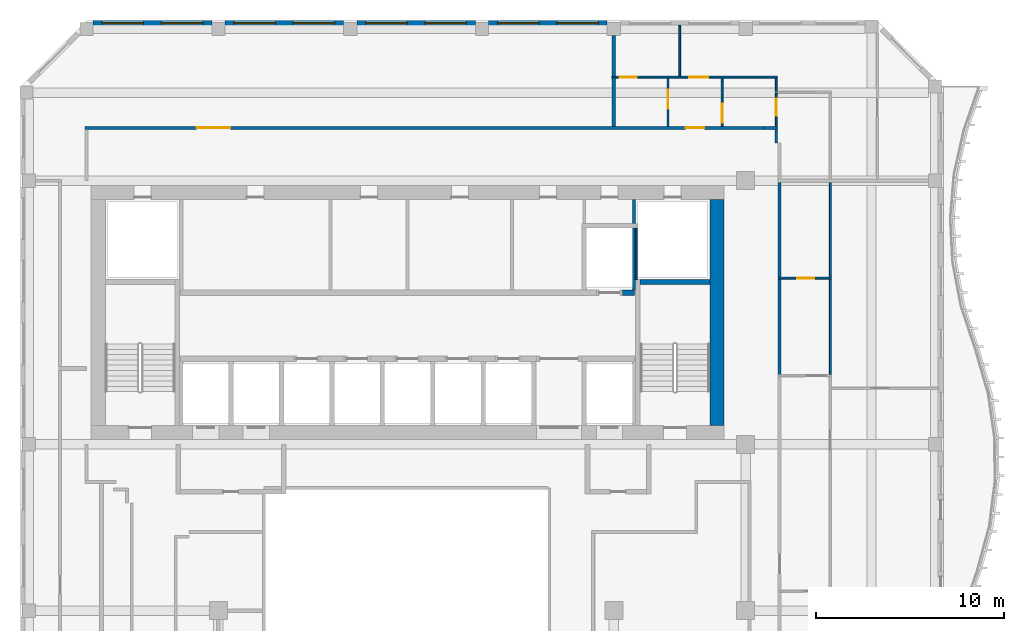
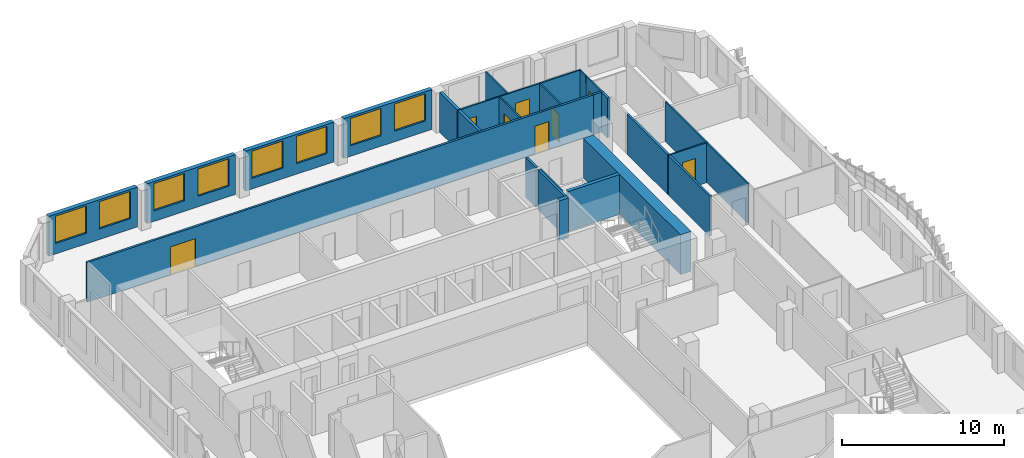
# One storey, part 7 of 13: 26 walls, 8 doors, 8 windows, 16 openings.
"""IFC4 building model written with IfcOpenShell, lengths in metres."""

import ifcopenshell
import ifcopenshell.guid

model = None  # the IFC model being written
_history = None  # IfcOwnerHistory: only IFC2X3 demands one
_inside = {}  # id of a spatial element -> (the spatial element, [elements in it])
_under = {}  # id of a project, library or spatial element -> (it, [spatial elements below it])
_declared = {}  # id of a project -> (the project, [libraries it declares])
_typed = {}  # id of a type object -> (the type object, [elements of that type])
_made_of = {}  # id of a material, layer set ... -> (it, [elements and type objects made of it])


def new_model(schema):
    """Start an empty IFC model of exactly this schema.

    Asked for "IFC4X3", IfcOpenShell would pick the latest addendum, in which some entities
    have other attributes; the version numbers below select the first issue.
    IFC2X3 requires an IfcOwnerHistory on every rooted entity: one is made here for all.
    """
    global model, _history
    if schema == "IFC4X3":
        model = ifcopenshell.file(schema_version=(4, 3, 0, 0))
    else:
        model = ifcopenshell.file(schema=schema)
    _inside.clear()
    _under.clear()
    _declared.clear()
    _typed.clear()
    _made_of.clear()
    _history = None
    if model.schema == "IFC2X3":
        org = make("IfcOrganization", Name="unknown")
        user = make(
            "IfcPersonAndOrganization",
            ThePerson=make("IfcPerson", FamilyName="unknown"),
            TheOrganization=org,
        )
        app = make(
            "IfcApplication",
            ApplicationDeveloper=org,
            Version="unknown",
            ApplicationFullName="unknown",
            ApplicationIdentifier="unknown",
        )
        _history = make(
            "IfcOwnerHistory",
            OwningUser=user,
            OwningApplication=app,
            ChangeAction="ADDED",
            CreationDate=0,
        )
    return model


def make(cls, **values):
    """One entity of the class cls with the attributes given. An attribute that is None is left unset."""
    return model.create_entity(
        cls, **{name: value for name, value in values.items() if value is not None}
    )


def rooted(cls, **values):
    """An entity with a GlobalId (a new one), such as an element, a storey or a relation."""
    return make(cls, GlobalId=ifcopenshell.guid.new(), OwnerHistory=_history, **values)


def si_unit(unit_type, name, prefix=None):
    """IfcSIUnit, for example si_unit("LENGTHUNIT", "METRE", prefix="MILLI")."""
    return make("IfcSIUnit", UnitType=unit_type, Prefix=prefix, Name=name)


def assignment(units):
    """IfcUnitAssignment: the units of a project."""
    return None if units is None else make("IfcUnitAssignment", Units=units)


def point(xyz):
    """IfcCartesianPoint."""
    return None if xyz is None else make("IfcCartesianPoint", Coordinates=xyz)


def direction(xyz):
    """IfcDirection."""
    return None if xyz is None else make("IfcDirection", DirectionRatios=xyz)


def frame(location, z_axis=None, x_axis=None):
    """IfcAxis2Placement3D, a coordinate frame: its origin and axes. An axis left out is left unset."""
    return make(
        "IfcAxis2Placement3D",
        Location=point(location),
        Axis=direction(z_axis),
        RefDirection=direction(x_axis),
    )


def frame_2d(location, x_axis=None):
    """IfcAxis2Placement2D, a coordinate frame in the plane: its origin and x axis."""
    return make(
        "IfcAxis2Placement2D", Location=point(location), RefDirection=direction(x_axis)
    )


def origin():
    """The frame at (0, 0, 0) with its axes left unset."""
    return frame((0.0, 0.0, 0.0))


def place(relative_to, where):
    """IfcLocalPlacement: puts the frame where relative to a parent placement (None: the world)."""
    return make(
        "IfcLocalPlacement", PlacementRelTo=relative_to, RelativePlacement=where
    )


def context(
    kind, dimensions, precision=None, world=None, true_north=None, identifier=None
):
    """IfcGeometricRepresentationContext, for example the 3D "Model" context."""
    return make(
        "IfcGeometricRepresentationContext",
        ContextIdentifier=identifier,
        ContextType=kind,
        CoordinateSpaceDimension=dimensions,
        Precision=precision,
        WorldCoordinateSystem=world,
        TrueNorth=true_north,
    )


def subcontext(parent, identifier, kind, view, scale=None):
    """IfcGeometricRepresentationSubContext, for example "Body" below "Model"."""
    return make(
        "IfcGeometricRepresentationSubContext",
        ContextIdentifier=identifier,
        ContextType=kind,
        ParentContext=parent,
        TargetScale=scale,
        TargetView=view,
    )


def project(units=None, contexts=None):
    """IfcProject with its units and contexts."""
    return rooted(
        "IfcProject",
        Name="project",
        RepresentationContexts=contexts,
        UnitsInContext=assignment(units),
    )


def spatial(cls, under=None, at=None, **own):
    """A site, building, storey or space (cls), placed at a placement, below another one or the project."""
    s = rooted(cls, ObjectPlacement=at, **own)
    if under is not None:
        _under.setdefault(under.id(), (under, []))[1].append(s)
    return s


def profile(cls, at=None, kind="AREA", **sizes):
    """A parametric profile (cls). Its sizes go by their IFC names, for example OverallWidth=200.0."""
    return make(cls, ProfileType=kind, Position=at, **sizes)


def rectangle(**sizes):
    """IfcRectangleProfileDef."""
    return profile("IfcRectangleProfileDef", **sizes)


def extrude(swept, where, along, depth):
    """IfcExtrudedAreaSolid: the profile swept, set in the frame where, extruded along a direction by depth."""
    return make(
        "IfcExtrudedAreaSolid",
        SweptArea=swept,
        Position=where,
        ExtrudedDirection=direction(along),
        Depth=depth,
    )


def shape(context_of_items, identifier, shape_type, items):
    """IfcShapeRepresentation: the items that make up one representation, for example the "Body"."""
    return make(
        "IfcShapeRepresentation",
        ContextOfItems=context_of_items,
        RepresentationIdentifier=identifier,
        RepresentationType=shape_type,
        Items=items,
    )


def source(mapping_origin, context_of_items, identifier, shape_type, items):
    """IfcRepresentationMap: a shape defined once, which mapped items show again and again."""
    return make(
        "IfcRepresentationMap",
        MappingOrigin=mapping_origin,
        MappedRepresentation=shape(context_of_items, identifier, shape_type, items),
    )


def transform(
    local_origin,
    x_axis=None,
    y_axis=None,
    z_axis=None,
    scale=None,
    scale2=None,
    scale3=None,
    uniform=True,
):
    """IfcCartesianTransformationOperator3D, or its non-uniform kind. x_axis, y_axis, z_axis: its Axis1, 2, 3."""
    if uniform:
        return make(
            "IfcCartesianTransformationOperator3D",
            Axis1=direction(x_axis),
            Axis2=direction(y_axis),
            LocalOrigin=point(local_origin),
            Scale=scale,
            Axis3=direction(z_axis),
        )
    return make(
        "IfcCartesianTransformationOperator3DnonUniform",
        Axis1=direction(x_axis),
        Axis2=direction(y_axis),
        LocalOrigin=point(local_origin),
        Scale=scale,
        Axis3=direction(z_axis),
        Scale2=scale2,
        Scale3=scale3,
    )


def mapped(mapping_source, mapping_target):
    """IfcMappedItem: shows the shape of a source again, moved by a transform."""
    return make(
        "IfcMappedItem", MappingSource=mapping_source, MappingTarget=mapping_target
    )


def material(Name=None, Category=None):
    """IfcMaterial."""
    return make("IfcMaterial", Name=Name, Category=Category)


def layer(
    of_material, thickness, ventilated=None, Name=None, Category=None, Priority=None
):
    """IfcMaterialLayer: one layer of a wall or slab, of a material (None: an air gap)."""
    return make(
        "IfcMaterialLayer",
        Material=of_material,
        LayerThickness=thickness,
        IsVentilated=ventilated,
        Name=Name,
        Category=Category,
        Priority=Priority,
    )


def layer_set(layers, Name=None):
    """IfcMaterialLayerSet."""
    return make("IfcMaterialLayerSet", MaterialLayers=layers, LayerSetName=Name)


def made_of(thing, what):
    """Note that an element or type object is made of a material, layer set ...; save() writes the relation."""
    if what is not None:
        _made_of.setdefault(what.id(), (what, []))[1].append(thing)
    return thing


def type_object(cls, material=None, **own):
    """A type object (cls), such as IfcWallType, which elements share."""
    return made_of(rooted(cls, **own), material)


def element(
    cls,
    number,
    at=None,
    inside=None,
    cuts=None,
    type_object=None,
    material=None,
    context=None,
    identifier="Body",
    shape_type=None,
    held_by="IfcProductDefinitionShape",
    body=None,
    shapes=None,
    **own,
):
    """One element of the class cls, such as IfcWall. Its Tag is "e" and its number.

    at: its placement. inside: the storey or other place that contains it. cuts: it is an
    opening in that element (IfcRelVoidsElement). A single representation is given by context,
    identifier, shape_type and body (its items); several are given by shapes. held_by: the class
    of the entity that holds the representations. save() writes the other relations.
    """
    e = rooted(cls, Tag="e%d" % number, ObjectPlacement=at, **own)
    if body is not None:
        shapes = [shape(context, identifier, shape_type, body)]
    if shapes is not None:
        e.Representation = make(held_by, Representations=shapes)
    if inside is not None:
        _inside.setdefault(inside.id(), (inside, []))[1].append(e)
    if cuts is not None:
        rooted(
            "IfcRelVoidsElement", RelatingBuildingElement=cuts, RelatedOpeningElement=e
        )
    if type_object is not None:
        _typed.setdefault(type_object.id(), (type_object, []))[1].append(e)
    return made_of(e, material)


def fill(opening, filler):
    """IfcRelFillsElement: the door or window that sits in an opening."""
    return rooted(
        "IfcRelFillsElement",
        RelatingOpeningElement=opening,
        RelatedBuildingElement=filler,
    )


def aggregate(whole, parts):
    """IfcRelAggregates: a whole, such as a stair, and the parts it consists of."""
    return rooted("IfcRelAggregates", RelatingObject=whole, RelatedObjects=parts)


def save(model, path):
    """Write the relations noted so far, then the file.

    IfcRelAggregates (storeys below a building ...), IfcRelContainedInSpatialStructure (elements
    in a storey), IfcRelDefinesByType, IfcRelAssociatesMaterial and IfcRelDeclares: one each for
    every whole, place, type object, material and project.
    """
    for whole, parts in _under.values():
        aggregate(whole, parts)
    for where, things in _inside.values():
        rooted(
            "IfcRelContainedInSpatialStructure",
            RelatedElements=things,
            RelatingStructure=where,
        )
    for kind, things in _typed.values():
        rooted("IfcRelDefinesByType", RelatedObjects=things, RelatingType=kind)
    for what, things in _made_of.values():
        rooted("IfcRelAssociatesMaterial", RelatedObjects=things, RelatingMaterial=what)
    for by, libraries in _declared.values():
        rooted("IfcRelDeclares", RelatingContext=by, RelatedDefinitions=libraries)
    model.write(path)


model = new_model("IFC4")

# Units and contexts
model_context = context("Model", 3, precision=1e-05, world=origin(), true_north=direction((0.0, 1.0)))
body_context = subcontext(model_context, "Body", "Model", "MODEL_VIEW")
ifc_project = project(units=[si_unit("LENGTHUNIT", "METRE"), si_unit("AREAUNIT", "SQUARE_METRE"), si_unit("VOLUMEUNIT", "CUBIC_METRE"), si_unit("PLANEANGLEUNIT", "RADIAN"), si_unit("MASSUNIT", "GRAM", prefix="KILO")], contexts=[model_context])

# Site, building, storey
site_placement = place(None, origin())
site = spatial("IfcSite", under=ifc_project, at=site_placement, CompositionType="ELEMENT")
building_placement = place(site_placement, origin())
building = spatial("IfcBuilding", under=site, at=building_placement, Name="Kilnfold Tower and Market Hall", CompositionType="ELEMENT")
storey_placement = place(building_placement, frame((0.0, 0.0, 259.39990234375)))
storey = spatial("IfcBuildingStorey", under=building, at=storey_placement, Name="L63", CompositionType="ELEMENT", Elevation=259.39990234375)

# Wall, openings, doors
ifc_material_1 = material(Name="Gypsum board on steel studs", Category="steel")
ifc_layer_1 = layer(ifc_material_1, 0.14990234375)
ifc_layer_set_1 = layer_set([ifc_layer_1], Name="Gypsum board on steel studs")
wall_type_1 = type_object("IfcWallType", Name="WALL CORRIDOR 150", PredefinedType="PARTITIONING", material=ifc_layer_set_1)
wall_1_placement = place(storey_placement, frame((-16.074951171875, 24.800048828125, 0.0), z_axis=(0.0, 0.0, 1.0), x_axis=(1.0, 0.0, 0.0)))
wall_1 = element("IfcWall", 1, at=wall_1_placement, inside=storey, type_object=wall_type_1, Name="Partition LY39.6", PredefinedType="PARTITIONING", context=body_context, shape_type="SweptSolid", body=[
    extrude(rectangle(XDim=36.072998046875, YDim=0.14990234375, at=frame_2d((18.03662109375, 0.0))), origin(), (0.0, 0.0, 1.0), 3.0),
])
opening_1_placement = place(wall_1_placement, frame((5.9189453125, 0.0, 0.0)))
opening_1 = element("IfcOpeningElement", 2, at=opening_1_placement, cuts=wall_1, Name="Opening D5", PredefinedType="OPENING", context=body_context, shape_type="SweptSolid", body=[
    extrude(rectangle(XDim=1.800048828125, YDim=2.10009765625, at=frame_2d((0.89990234375, 1.050048828125))), frame((0.0, 0.0849609375, 0.0), z_axis=(0.0, -1.0, 0.0), x_axis=(1.0, 0.0, 0.0)), (0.0, 0.0, 1.0), 0.169921875),
])
opening_2_placement = place(wall_1_placement, frame((31.886962890625, 0.0, 0.0)))
opening_2 = element("IfcOpeningElement", 3, at=opening_2_placement, cuts=wall_1, Name="Opening D1", PredefinedType="OPENING", context=body_context, shape_type="SweptSolid", body=[
    extrude(rectangle(XDim=1.0, YDim=2.10009765625, at=frame_2d((0.5, 1.050048828125))), frame((0.0, 0.0849609375, 0.0), z_axis=(0.0, -1.0, 0.0), x_axis=(1.0, 0.0, 0.0)), (0.0, 0.0, 1.0), 0.169921875),
])
ifc_material_2 = material(Name="Timber veneer door leaf in steel frame", Category="steel")
door_type_1 = type_object("IfcDoorType", Name="DOOR DOUBLE 1800 X2100", OperationType="NOTDEFINED", PredefinedType="DOOR", material=ifc_material_2)
door_1_placement = place(opening_1_placement, origin())
door_1 = element("IfcDoor", 4, at=door_1_placement, inside=storey, type_object=door_type_1, Name="Door D5", OperationType="DOUBLE_DOOR_SINGLE_SWING", OverallHeight=2.10009765625, OverallWidth=1.800048828125, PredefinedType="DOOR", context=body_context, shape_type="SweptSolid", body=[
    extrude(rectangle(XDim=1.800048828125, YDim=2.10009765625, at=frame_2d((0.89990234375, 1.050048828125))), frame((0.0, 0.02490234375, 0.0), z_axis=(0.0, -1.0, 0.0), x_axis=(1.0, 0.0, 0.0)), (0.0, 0.0, 1.0), 0.050048828125),
])
fill(opening_1, door_1)
ifc_material_3 = material(Name="Timber veneer door leaf in steel frame", Category="steel")
door_type_2 = type_object("IfcDoorType", Name="DOOR ENTRY 1000 X2100", OperationType="NOTDEFINED", PredefinedType="DOOR", material=ifc_material_3)
door_2_placement = place(opening_2_placement, origin())
door_2 = element("IfcDoor", 5, at=door_2_placement, inside=storey, type_object=door_type_2, Name="Door D1", OperationType="SINGLE_SWING_RIGHT", OverallHeight=2.10009765625, OverallWidth=1.0, PredefinedType="DOOR", context=body_context, shape_type="SweptSolid", body=[
    extrude(rectangle(XDim=1.0, YDim=2.10009765625, at=frame_2d((0.5, 1.050048828125))), frame((0.0, 0.02490234375, 0.0), z_axis=(0.0, -1.0, 0.0), x_axis=(1.0, 0.0, 0.0)), (0.0, 0.0, 1.0), 0.050048828125),
])
fill(opening_2, door_2)

# Walls
wall_2_placement = place(storey_placement, frame((20.800048828125, 11.68505859375, 0.0), z_axis=(0.0, 0.0, 1.0), x_axis=(0.0, 1.0, 0.0)))
element("IfcWall", 6, at=wall_2_placement, inside=storey, type_object=wall_type_1, Name="Partition LY39.15", PredefinedType="PARTITIONING", context=body_context, shape_type="SweptSolid", body=[
    extrude(rectangle(XDim=5.097900390625, YDim=0.14990234375, at=frame_2d((2.548828125, 0.0))), origin(), (0.0, 0.0, 1.0), 3.0),
])
wall_3_placement = place(storey_placement, frame((20.800048828125, 16.863037109375, 0.0), z_axis=(0.0, 0.0, 1.0), x_axis=(0.0, 1.0, 0.0)))
element("IfcWall", 7, at=wall_3_placement, inside=storey, type_object=wall_type_1, Name="Partition LY39.16", PredefinedType="PARTITIONING", context=body_context, shape_type="SweptSolid", body=[
    extrude(rectangle(XDim=5.046875, YDim=0.14990234375, at=frame_2d((2.5234375, 0.0))), origin(), (0.0, 0.0, 1.0), 3.0),
])
wall_4_placement = place(storey_placement, frame((20.701904296875, 24.802001953125, 0.0), z_axis=(0.0, 0.0, 1.0), x_axis=(-1.0, 0.0, 0.0)))
element("IfcWall", 8, at=wall_4_placement, inside=storey, type_object=wall_type_1, Name="Partition LY39.17", PredefinedType="PARTITIONING", context=body_context, shape_type="SweptSolid", body=[
    extrude(rectangle(XDim=0.703857421875, YDim=0.14990234375, at=frame_2d((0.35205078125, 0.0))), origin(), (0.0, 0.0, 1.0), 3.0),
])
wall_5_placement = place(storey_placement, frame((20.626953125, 24.0, 0.0), z_axis=(0.0, 0.0, 1.0), x_axis=(0.0, 1.0, 0.0)))
element("IfcWall", 9, at=wall_5_placement, inside=storey, type_object=wall_type_1, Name="Partition LY39.18", PredefinedType="PARTITIONING", context=body_context, shape_type="SweptSolid", body=[
    extrude(rectangle(XDim=0.72705078125, YDim=0.14990234375, at=frame_2d((0.363525390625, 0.0))), origin(), (0.0, 0.0, 1.0), 3.0),
])

# Wall, opening, door
ifc_material_4 = material(Name="Gypsum board on steel studs", Category="steel")
ifc_layer_2 = layer(ifc_material_4, 0.10009765625)
ifc_layer_set_2 = layer_set([ifc_layer_2], Name="Gypsum board on steel studs")
wall_type_2 = type_object("IfcWallType", Name="WALL PARTITION 100", PredefinedType="PARTITIONING", material=ifc_layer_set_2)
wall_6_placement = place(storey_placement, frame((23.550048828125, 16.822998046875, 0.0), z_axis=(0.0, 0.0, 1.0), x_axis=(-1.0, 0.0, 0.0)))
wall_6 = element("IfcWall", 10, at=wall_6_placement, inside=storey, type_object=wall_type_2, Name="Partition LY39.61", PredefinedType="PARTITIONING", context=body_context, shape_type="SweptSolid", body=[
    extrude(rectangle(XDim=2.822998046875, YDim=0.10009765625, at=frame_2d((1.41162109375, 0.0))), origin(), (0.0, 0.0, 1.0), 3.0),
])
opening_3_placement = place(wall_6_placement, frame((0.910888671875, 0.0, 0.0)))
opening_3 = element("IfcOpeningElement", 11, at=opening_3_placement, cuts=wall_6, Name="Opening D2", PredefinedType="OPENING", context=body_context, shape_type="SweptSolid", body=[
    extrude(rectangle(XDim=0.89990234375, YDim=2.10009765625, at=frame_2d((0.449951171875, 1.050048828125))), frame((0.0, 0.06005859375, 0.0), z_axis=(0.0, -1.0, 0.0), x_axis=(1.0, 0.0, 0.0)), (0.0, 0.0, 1.0), 0.1201171875),
])
ifc_material_5 = material(Name="Timber veneer door leaf in steel frame", Category="steel")
door_type_3 = type_object("IfcDoorType", Name="DOOR ROOM 900 X2100", OperationType="NOTDEFINED", PredefinedType="DOOR", material=ifc_material_5)
door_3_placement = place(opening_3_placement, origin())
door_3 = element("IfcDoor", 12, at=door_3_placement, inside=storey, type_object=door_type_3, Name="Door D2", OperationType="SINGLE_SWING_RIGHT", OverallHeight=2.10009765625, OverallWidth=0.89990234375, PredefinedType="DOOR", context=body_context, shape_type="SweptSolid", body=[
    extrude(rectangle(XDim=0.89990234375, YDim=2.10009765625, at=frame_2d((0.449951171875, 1.050048828125))), frame((0.0, 0.02490234375, 0.0), z_axis=(0.0, -1.0, 0.0), x_axis=(1.0, 0.0, 0.0)), (0.0, 0.0, 1.0), 0.050048828125),
])
fill(opening_3, door_3)

# Walls
wall_7_placement = place(storey_placement, frame((23.5, 11.695068359375, 0.0), z_axis=(0.0, 0.0, 1.0), x_axis=(0.0, 1.0, 0.0)))
element("IfcWall", 13, at=wall_7_placement, inside=storey, type_object=wall_type_2, Name="Partition LY39.62", PredefinedType="PARTITIONING", context=body_context, shape_type="SweptSolid", body=[
    extrude(rectangle(XDim=5.077880859375, YDim=0.10009765625, at=frame_2d((2.5390625, 0.0))), origin(), (0.0, 0.0, 1.0), 3.0),
])
wall_8_placement = place(storey_placement, frame((23.5, 16.873046875, 0.0), z_axis=(0.0, 0.0, 1.0), x_axis=(0.0, 1.0, 0.0)))
element("IfcWall", 14, at=wall_8_placement, inside=storey, type_object=wall_type_2, Name="Partition LY39.63", PredefinedType="PARTITIONING", context=body_context, shape_type="SweptSolid", body=[
    extrude(rectangle(XDim=5.02685546875, YDim=0.10009765625, at=frame_2d((2.513427734375, 0.0))), origin(), (0.0, 0.0, 1.0), 3.0),
])

# Wall, opening, door
wall_9_placement = place(storey_placement, frame((14.875, 24.876953125, 0.0), z_axis=(0.0, 0.0, 1.0), x_axis=(0.0, 1.0, 0.0)))
wall_9 = element("IfcWall", 15, at=wall_9_placement, inside=storey, type_object=wall_type_2, Name="Partition LY39.67", PredefinedType="PARTITIONING", context=body_context, shape_type="SweptSolid", body=[
    extrude(rectangle(XDim=2.572998046875, YDim=0.10009765625, at=frame_2d((1.28662109375, 0.0))), origin(), (0.0, 0.0, 1.0), 3.0),
])
opening_4_placement = place(wall_9_placement, frame((0.946044921875, 0.0, 0.0)))
opening_4 = element("IfcOpeningElement", 16, at=opening_4_placement, cuts=wall_9, Name="Opening D1", PredefinedType="OPENING", context=body_context, shape_type="SweptSolid", body=[
    extrude(rectangle(XDim=1.0, YDim=2.10009765625, at=frame_2d((0.5, 1.050048828125))), frame((0.0, 0.06005859375, 0.0), z_axis=(0.0, -1.0, 0.0), x_axis=(1.0, 0.0, 0.0)), (0.0, 0.0, 1.0), 0.1201171875),
])
door_4_placement = place(opening_4_placement, origin())
door_4 = element("IfcDoor", 17, at=door_4_placement, inside=storey, type_object=door_type_2, Name="Door D1", OperationType="SINGLE_SWING_LEFT", OverallHeight=2.10009765625, OverallWidth=1.0, PredefinedType="DOOR", context=body_context, shape_type="SweptSolid", body=[
    extrude(rectangle(XDim=1.0, YDim=2.10009765625, at=frame_2d((0.5, 1.050048828125))), frame((0.0, 0.02490234375, 0.0), z_axis=(0.0, -1.0, 0.0), x_axis=(1.0, 0.0, 0.0)), (0.0, 0.0, 1.0), 0.050048828125),
])
fill(opening_4, door_4)

# Wall, openings, doors
wall_10_placement = place(storey_placement, frame((11.89990234375, 27.5, 0.0), z_axis=(0.0, 0.0, 1.0), x_axis=(1.0, 0.0, 0.0)))
wall_10 = element("IfcWall", 18, at=wall_10_placement, inside=storey, type_object=wall_type_2, Name="Partition LY39.68", PredefinedType="PARTITIONING", context=body_context, shape_type="SweptSolid", body=[
    extrude(rectangle(XDim=8.775146484375, YDim=0.10009765625, at=frame_2d((4.3876953125, 0.0))), origin(), (0.0, 0.0, 1.0), 3.0),
])
opening_5_placement = place(wall_10_placement, frame((0.408935546875, 0.0, 0.0)))
opening_5 = element("IfcOpeningElement", 19, at=opening_5_placement, cuts=wall_10, Name="Opening D2", PredefinedType="OPENING", context=body_context, shape_type="SweptSolid", body=[
    extrude(rectangle(XDim=0.89990234375, YDim=2.10009765625, at=frame_2d((0.449951171875, 1.050048828125))), frame((0.0, 0.06005859375, 0.0), z_axis=(0.0, -1.0, 0.0), x_axis=(1.0, 0.0, 0.0)), (0.0, 0.0, 1.0), 0.1201171875),
])
opening_6_placement = place(wall_10_placement, frame((4.113037109375, 0.0, 0.0)))
opening_6 = element("IfcOpeningElement", 20, at=opening_6_placement, cuts=wall_10, Name="Opening D1", PredefinedType="OPENING", context=body_context, shape_type="SweptSolid", body=[
    extrude(rectangle(XDim=1.0, YDim=2.10009765625, at=frame_2d((0.5, 1.050048828125))), frame((0.0, 0.06005859375, 0.0), z_axis=(0.0, -1.0, 0.0), x_axis=(1.0, 0.0, 0.0)), (0.0, 0.0, 1.0), 0.1201171875),
])
door_5_placement = place(opening_6_placement, origin())
door_5 = element("IfcDoor", 21, at=door_5_placement, inside=storey, type_object=door_type_2, Name="Door D1", OperationType="SINGLE_SWING_RIGHT", OverallHeight=2.10009765625, OverallWidth=1.0, PredefinedType="DOOR", context=body_context, shape_type="SweptSolid", body=[
    extrude(rectangle(XDim=1.0, YDim=2.10009765625, at=frame_2d((0.5, 1.050048828125))), frame((0.0, 0.02490234375, 0.0), z_axis=(0.0, -1.0, 0.0), x_axis=(1.0, 0.0, 0.0)), (0.0, 0.0, 1.0), 0.050048828125),
])
fill(opening_6, door_5)
door_6_placement = place(opening_5_placement, origin())
door_6 = element("IfcDoor", 22, at=door_6_placement, inside=storey, type_object=door_type_3, Name="Door D2", OperationType="SINGLE_SWING_LEFT", OverallHeight=2.10009765625, OverallWidth=0.89990234375, PredefinedType="DOOR", context=body_context, shape_type="SweptSolid", body=[
    extrude(rectangle(XDim=0.89990234375, YDim=2.10009765625, at=frame_2d((0.449951171875, 1.050048828125))), frame((0.0, 0.02490234375, 0.0), z_axis=(0.0, -1.0, 0.0), x_axis=(1.0, 0.0, 0.0)), (0.0, 0.0, 1.0), 0.050048828125),
])
fill(opening_5, door_6)

# Wall, opening, door
wall_11_placement = place(storey_placement, frame((17.75, 24.876953125, 0.0), z_axis=(0.0, 0.0, 1.0), x_axis=(0.0, 1.0, 0.0)))
wall_11 = element("IfcWall", 23, at=wall_11_placement, inside=storey, type_object=wall_type_2, Name="Partition LY39.69", PredefinedType="PARTITIONING", context=body_context, shape_type="SweptSolid", body=[
    extrude(rectangle(XDim=2.572998046875, YDim=0.10009765625, at=frame_2d((1.28662109375, 0.0))), origin(), (0.0, 0.0, 1.0), 3.0),
])
opening_7_placement = place(wall_11_placement, frame((0.199951171875, 0.0, 0.0)))
opening_7 = element("IfcOpeningElement", 24, at=opening_7_placement, cuts=wall_11, Name="Opening D1", PredefinedType="OPENING", context=body_context, shape_type="SweptSolid", body=[
    extrude(rectangle(XDim=1.0, YDim=2.10009765625, at=frame_2d((0.5, 1.050048828125))), frame((0.0, 0.06005859375, 0.0), z_axis=(0.0, -1.0, 0.0), x_axis=(1.0, 0.0, 0.0)), (0.0, 0.0, 1.0), 0.1201171875),
])
door_7_placement = place(opening_7_placement, origin())
door_7 = element("IfcDoor", 25, at=door_7_placement, inside=storey, type_object=door_type_2, Name="Door D1", OperationType="SINGLE_SWING_LEFT", OverallHeight=2.10009765625, OverallWidth=1.0, PredefinedType="DOOR", context=body_context, shape_type="SweptSolid", body=[
    extrude(rectangle(XDim=1.0, YDim=2.10009765625, at=frame_2d((0.5, 1.050048828125))), frame((0.0, 0.02490234375, 0.0), z_axis=(0.0, -1.0, 0.0), x_axis=(1.0, 0.0, 0.0)), (0.0, 0.0, 1.0), 0.050048828125),
])
fill(opening_7, door_7)

wall_12_placement = place(storey_placement, frame((20.625, 24.876953125, 0.0), z_axis=(0.0, 0.0, 1.0), x_axis=(0.0, 1.0, 0.0)))
wall_12 = element("IfcWall", 26, at=wall_12_placement, inside=storey, type_object=wall_type_2, Name="Partition LY39.70", PredefinedType="PARTITIONING", context=body_context, shape_type="SweptSolid", body=[
    extrude(rectangle(XDim=1.781005859375, YDim=0.10009765625, at=frame_2d((0.890625, 0.0))), origin(), (0.0, 0.0, 1.0), 3.0),
])
opening_8_placement = place(wall_12_placement, frame((0.56103515625, 0.0, 0.0)))
opening_8 = element("IfcOpeningElement", 27, at=opening_8_placement, cuts=wall_12, Name="Opening D2", PredefinedType="OPENING", context=body_context, shape_type="SweptSolid", body=[
    extrude(rectangle(XDim=0.89990234375, YDim=2.10009765625, at=frame_2d((0.449951171875, 1.050048828125))), frame((0.0, 0.06005859375, 0.0), z_axis=(0.0, -1.0, 0.0), x_axis=(1.0, 0.0, 0.0)), (0.0, 0.0, 1.0), 0.1201171875),
])
door_8_placement = place(opening_8_placement, origin())
door_8 = element("IfcDoor", 28, at=door_8_placement, inside=storey, type_object=door_type_3, Name="Door D2", OperationType="SINGLE_SWING_RIGHT", OverallHeight=2.10009765625, OverallWidth=0.89990234375, PredefinedType="DOOR", context=body_context, shape_type="SweptSolid", body=[
    extrude(rectangle(XDim=0.89990234375, YDim=2.10009765625, at=frame_2d((0.449951171875, 1.050048828125))), frame((0.0, 0.02490234375, 0.0), z_axis=(0.0, -1.0, 0.0), x_axis=(1.0, 0.0, 0.0)), (0.0, 0.0, 1.0), 0.050048828125),
])
fill(opening_8, door_8)

# Walls
wall_13_placement = place(storey_placement, frame((20.625, 26.738037109375, 0.0), z_axis=(0.0, 0.0, 1.0), x_axis=(0.0, 1.0, 0.0)))
element("IfcWall", 29, at=wall_13_placement, inside=storey, type_object=wall_type_2, Name="Partition LY39.71", PredefinedType="PARTITIONING", context=body_context, shape_type="SweptSolid", body=[
    extrude(rectangle(XDim=0.7119140625, YDim=0.10009765625, at=frame_2d((0.35595703125, 0.0))), origin(), (0.0, 0.0, 1.0), 3.0),
])
wall_14_placement = place(storey_placement, frame((15.5, 27.552001953125, 0.0), z_axis=(0.0, 0.0, 1.0), x_axis=(0.0, 1.0, 0.0)))
element("IfcWall", 30, at=wall_14_placement, inside=storey, type_object=wall_type_2, Name="Partition LY39.75", PredefinedType="PARTITIONING", context=body_context, shape_type="SweptSolid", body=[
    extrude(rectangle(XDim=2.697998046875, YDim=0.10009765625, at=frame_2d((1.34912109375, 0.0))), origin(), (0.0, 0.0, 1.0), 3.0),
])
ifc_material_6 = material(Name="Gypsum board on steel studs", Category="steel")
ifc_layer_3 = layer(ifc_material_6, 0.199951171875)
ifc_layer_set_3 = layer_set([ifc_layer_3], Name="Gypsum board on steel studs")
wall_type_3 = type_object("IfcWallType", Name="WALL PARTY 200", PredefinedType="PARTITIONING", material=ifc_layer_set_3)
wall_15_placement = place(storey_placement, frame((12.0, 24.876953125, 0.0), z_axis=(0.0, 0.0, 1.0), x_axis=(0.0, 1.0, 0.0)))
element("IfcWall", 31, at=wall_15_placement, inside=storey, type_object=wall_type_3, Name="Partition LY39.42", PredefinedType="PARTITIONING", context=body_context, shape_type="SweptSolid", body=[
    extrude(rectangle(XDim=2.5830078125, YDim=0.199951171875, at=frame_2d((1.29150390625, 0.0))), origin(), (0.0, 0.0, 1.0), 3.0),
])
wall_16_placement = place(storey_placement, frame((12.0, 27.5419921875, 0.0), z_axis=(0.0, 0.0, 1.0), x_axis=(0.0, 1.0, 0.0)))
element("IfcWall", 32, at=wall_16_placement, inside=storey, type_object=wall_type_3, Name="Partition LY39.43", PredefinedType="PARTITIONING", context=body_context, shape_type="SweptSolid", body=[
    extrude(rectangle(XDim=2.157958984375, YDim=0.199951171875, at=frame_2d((1.0791015625, 0.0))), origin(), (0.0, 0.0, 1.0), 3.0),
])
ifc_material_7 = material(Name="Concrete C60", Category="concrete")
ifc_layer_4 = layer(ifc_material_7, 0.25)
ifc_layer_set_4 = layer_set([ifc_layer_4], Name="Concrete C60")
wall_type_4 = type_object("IfcWallType", Name="CORE WALL 250 C60", PredefinedType="SHEAR", material=ifc_layer_set_4)
shared_shape_1 = source(origin(), body_context, "Body", "SweptSolid", [
    extrude(rectangle(XDim=3.7001953125, YDim=0.25, at=frame_2d((1.85009765625, 0.0))), origin(), (0.0, 0.0, 1.0), 3.0),
])
wall_17_placement = place(storey_placement, frame((13.39990234375, 16.625, 0.0), z_axis=(0.0, 0.0, 1.0), x_axis=(1.0, 0.0, 0.0)))
element("IfcWall", 33, at=wall_17_placement, inside=storey, type_object=wall_type_4, Name="Stair enclosure ST2", PredefinedType="SHEAR", context=body_context, shape_type="MappedRepresentation", body=[
    mapped(shared_shape_1, transform((0.0, 0.0, 0.0))),
])
ifc_material_8 = material(Name="Concrete C60", Category="concrete")
ifc_layer_5 = layer(ifc_material_8, 0.300048828125)
ifc_layer_set_5 = layer_set([ifc_layer_5], Name="Concrete C60")
wall_type_5 = type_object("IfcWallType", Name="CORE WALL 300 C60", PredefinedType="SHEAR", material=ifc_layer_set_5)
shared_shape_2 = source(origin(), body_context, "Body", "SweptSolid", [
    extrude(rectangle(XDim=0.64013671875, YDim=0.300048828125, at=frame_2d((0.320068359375, 0.0))), origin(), (0.0, 0.0, 1.0), 3.0),
])
wall_18_placement = place(storey_placement, frame((12.469970703125, 16.050048828125, 0.0), z_axis=(0.0, 0.0, 1.0), x_axis=(1.0, 0.0, 0.0)))
element("IfcWall", 34, at=wall_18_placement, inside=storey, type_object=wall_type_5, Name="Core spine wall", PredefinedType="SHEAR", context=body_context, shape_type="MappedRepresentation", body=[
    mapped(shared_shape_2, transform((0.0, 0.0, 0.0))),
])
ifc_material_9 = material(Name="Concrete C60", Category="concrete")
ifc_layer_6 = layer(ifc_material_9, 0.75)
ifc_layer_set_6 = layer_set([ifc_layer_6], Name="Concrete C60")
wall_type_6 = type_object("IfcWallType", Name="CORE WALL 750 C60", PredefinedType="SHEAR", material=ifc_layer_set_6)
shared_shape_3 = source(origin(), body_context, "Body", "SweptSolid", [
    extrude(rectangle(XDim=12.0, YDim=0.75, at=frame_2d((6.0, 0.0))), origin(), (0.0, 0.0, 1.0), 3.0),
])
wall_19_placement = place(storey_placement, frame((17.47509765625, 9.0, 0.0), z_axis=(0.0, 0.0, 1.0), x_axis=(0.0, 1.0, 0.0)))
element("IfcWall", 35, at=wall_19_placement, inside=storey, type_object=wall_type_6, Name="Core outer wall east", PredefinedType="SHEAR", context=body_context, shape_type="MappedRepresentation", body=[
    mapped(shared_shape_3, transform((0.0, 0.0, 0.0))),
])

# Wall, openings, windows
ifc_material_10 = material(Name="Precast concrete C50/60", Category="concrete")
ifc_layer_7 = layer(ifc_material_10, 0.300048828125)
ifc_layer_set_7 = layer_set([ifc_layer_7], Name="Precast concrete C50/60")
wall_type_7 = type_object("IfcWallType", Name="PRECAST WALL 300", PredefinedType="SOLIDWALL", material=ifc_layer_set_7)
shared_shape_4 = source(origin(), body_context, "Body", "SweptSolid", [
    extrude(rectangle(XDim=6.2998046875, YDim=0.300048828125, at=frame_2d((3.14990234375, 0.0))), origin(), (0.0, 0.0, 1.0), 3.0),
])
wall_20_placement = place(storey_placement, frame((11.64990234375, 30.35009765625, 0.0), z_axis=(0.0, 0.0, 1.0), x_axis=(-1.0, 0.0, 0.0)))
wall_20 = element("IfcWall", 36, at=wall_20_placement, inside=storey, type_object=wall_type_7, Name="External wall L63 N", PredefinedType="SOLIDWALL", context=body_context, shape_type="MappedRepresentation", body=[
    mapped(shared_shape_4, transform((0.0, 0.0, 0.0))),
])
opening_9_placement = place(wall_20_placement, frame((0.47509765625, 0.0, 0.800048828125)))
opening_9 = element("IfcOpeningElement", 37, at=opening_9_placement, cuts=wall_20, Name="Opening W3", PredefinedType="OPENING", context=body_context, shape_type="SweptSolid", body=[
    extrude(rectangle(XDim=2.199951171875, YDim=2.050048828125, at=frame_2d((1.10009765625, 1.02490234375))), frame((0.0, 0.16015625, 0.0), z_axis=(0.0, -1.0, 0.0), x_axis=(1.0, 0.0, 0.0)), (0.0, 0.0, 1.0), 0.320068359375),
])
opening_10_placement = place(wall_20_placement, frame((3.625, 0.0, 0.800048828125)))
opening_10 = element("IfcOpeningElement", 38, at=opening_10_placement, cuts=wall_20, Name="Opening W3", PredefinedType="OPENING", context=body_context, shape_type="SweptSolid", body=[
    extrude(rectangle(XDim=2.199951171875, YDim=2.050048828125, at=frame_2d((1.10009765625, 1.02490234375))), frame((0.0, 0.16015625, 0.0), z_axis=(0.0, -1.0, 0.0), x_axis=(1.0, 0.0, 0.0)), (0.0, 0.0, 1.0), 0.320068359375),
])
ifc_material_11 = material(Name="Aluminium frame and double glazing", Category="aluminium")
window_type = type_object("IfcWindowType", Name="WINDOW W3 2200X2050", PartitioningType="SINGLE_PANEL", PredefinedType="WINDOW", material=ifc_material_11)
window_1_placement = place(opening_9_placement, origin())
window_1 = element("IfcWindow", 39, at=window_1_placement, inside=storey, type_object=window_type, Name="Window W3 L63 N-1", OverallHeight=2.050048828125, OverallWidth=2.199951171875, PartitioningType="SINGLE_PANEL", PredefinedType="WINDOW", context=body_context, shape_type="SweptSolid", body=[
    extrude(rectangle(XDim=2.199951171875, YDim=2.050048828125, at=frame_2d((1.10009765625, 1.02490234375))), frame((0.0, 0.030029296875, 0.0), z_axis=(0.0, -1.0, 0.0), x_axis=(1.0, 0.0, 0.0)), (0.0, 0.0, 1.0), 0.06005859375),
])
fill(opening_9, window_1)
window_2_placement = place(opening_10_placement, origin())
window_2 = element("IfcWindow", 40, at=window_2_placement, inside=storey, type_object=window_type, Name="Window W3 L63 N-2", OverallHeight=2.050048828125, OverallWidth=2.199951171875, PartitioningType="SINGLE_PANEL", PredefinedType="WINDOW", context=body_context, shape_type="SweptSolid", body=[
    extrude(rectangle(XDim=2.199951171875, YDim=2.050048828125, at=frame_2d((1.10009765625, 1.02490234375))), frame((0.0, 0.030029296875, 0.0), z_axis=(0.0, -1.0, 0.0), x_axis=(1.0, 0.0, 0.0)), (0.0, 0.0, 1.0), 0.06005859375),
])
fill(opening_10, window_2)

wall_21_placement = place(storey_placement, frame((4.64990234375, 30.35009765625, 0.0), z_axis=(0.0, 0.0, 1.0), x_axis=(-1.0, 0.0, 0.0)))
wall_21 = element("IfcWall", 41, at=wall_21_placement, inside=storey, type_object=wall_type_7, Name="External wall L63 N", PredefinedType="SOLIDWALL", context=body_context, shape_type="MappedRepresentation", body=[
    mapped(shared_shape_4, transform((0.0, 0.0, 0.0))),
])
opening_11_placement = place(wall_21_placement, frame((0.47509765625, 0.0, 0.800048828125)))
opening_11 = element("IfcOpeningElement", 42, at=opening_11_placement, cuts=wall_21, Name="Opening W3", PredefinedType="OPENING", context=body_context, shape_type="SweptSolid", body=[
    extrude(rectangle(XDim=2.199951171875, YDim=2.050048828125, at=frame_2d((1.10009765625, 1.02490234375))), frame((0.0, 0.16015625, 0.0), z_axis=(0.0, -1.0, 0.0), x_axis=(1.0, 0.0, 0.0)), (0.0, 0.0, 1.0), 0.320068359375),
])
opening_12_placement = place(wall_21_placement, frame((3.625, 0.0, 0.800048828125)))
opening_12 = element("IfcOpeningElement", 43, at=opening_12_placement, cuts=wall_21, Name="Opening W3", PredefinedType="OPENING", context=body_context, shape_type="SweptSolid", body=[
    extrude(rectangle(XDim=2.199951171875, YDim=2.050048828125, at=frame_2d((1.10009765625, 1.02490234375))), frame((0.0, 0.16015625, 0.0), z_axis=(0.0, -1.0, 0.0), x_axis=(1.0, 0.0, 0.0)), (0.0, 0.0, 1.0), 0.320068359375),
])
window_3_placement = place(opening_11_placement, origin())
window_3 = element("IfcWindow", 44, at=window_3_placement, inside=storey, type_object=window_type, Name="Window W3 L63 N-1", OverallHeight=2.050048828125, OverallWidth=2.199951171875, PartitioningType="SINGLE_PANEL", PredefinedType="WINDOW", context=body_context, shape_type="SweptSolid", body=[
    extrude(rectangle(XDim=2.199951171875, YDim=2.050048828125, at=frame_2d((1.10009765625, 1.02490234375))), frame((0.0, 0.030029296875, 0.0), z_axis=(0.0, -1.0, 0.0), x_axis=(1.0, 0.0, 0.0)), (0.0, 0.0, 1.0), 0.06005859375),
])
fill(opening_11, window_3)
window_4_placement = place(opening_12_placement, origin())
window_4 = element("IfcWindow", 45, at=window_4_placement, inside=storey, type_object=window_type, Name="Window W3 L63 N-2", OverallHeight=2.050048828125, OverallWidth=2.199951171875, PartitioningType="SINGLE_PANEL", PredefinedType="WINDOW", context=body_context, shape_type="SweptSolid", body=[
    extrude(rectangle(XDim=2.199951171875, YDim=2.050048828125, at=frame_2d((1.10009765625, 1.02490234375))), frame((0.0, 0.030029296875, 0.0), z_axis=(0.0, -1.0, 0.0), x_axis=(1.0, 0.0, 0.0)), (0.0, 0.0, 1.0), 0.06005859375),
])
fill(opening_12, window_4)

wall_22_placement = place(storey_placement, frame((-2.35009765625, 30.35009765625, 0.0), z_axis=(0.0, 0.0, 1.0), x_axis=(-1.0, 0.0, 0.0)))
wall_22 = element("IfcWall", 46, at=wall_22_placement, inside=storey, type_object=wall_type_7, Name="External wall L63 N", PredefinedType="SOLIDWALL", context=body_context, shape_type="MappedRepresentation", body=[
    mapped(shared_shape_4, transform((0.0, 0.0, 0.0))),
])
opening_13_placement = place(wall_22_placement, frame((0.47509765625, 0.0, 0.800048828125)))
opening_13 = element("IfcOpeningElement", 47, at=opening_13_placement, cuts=wall_22, Name="Opening W3", PredefinedType="OPENING", context=body_context, shape_type="SweptSolid", body=[
    extrude(rectangle(XDim=2.199951171875, YDim=2.050048828125, at=frame_2d((1.10009765625, 1.02490234375))), frame((0.0, 0.16015625, 0.0), z_axis=(0.0, -1.0, 0.0), x_axis=(1.0, 0.0, 0.0)), (0.0, 0.0, 1.0), 0.320068359375),
])
opening_14_placement = place(wall_22_placement, frame((3.625, 0.0, 0.800048828125)))
opening_14 = element("IfcOpeningElement", 48, at=opening_14_placement, cuts=wall_22, Name="Opening W3", PredefinedType="OPENING", context=body_context, shape_type="SweptSolid", body=[
    extrude(rectangle(XDim=2.199951171875, YDim=2.050048828125, at=frame_2d((1.10009765625, 1.02490234375))), frame((0.0, 0.16015625, 0.0), z_axis=(0.0, -1.0, 0.0), x_axis=(1.0, 0.0, 0.0)), (0.0, 0.0, 1.0), 0.320068359375),
])
window_5_placement = place(opening_13_placement, origin())
window_5 = element("IfcWindow", 49, at=window_5_placement, inside=storey, type_object=window_type, Name="Window W3 L63 N-1", OverallHeight=2.050048828125, OverallWidth=2.199951171875, PartitioningType="SINGLE_PANEL", PredefinedType="WINDOW", context=body_context, shape_type="SweptSolid", body=[
    extrude(rectangle(XDim=2.199951171875, YDim=2.050048828125, at=frame_2d((1.10009765625, 1.02490234375))), frame((0.0, 0.030029296875, 0.0), z_axis=(0.0, -1.0, 0.0), x_axis=(1.0, 0.0, 0.0)), (0.0, 0.0, 1.0), 0.06005859375),
])
fill(opening_13, window_5)
window_6_placement = place(opening_14_placement, origin())
window_6 = element("IfcWindow", 50, at=window_6_placement, inside=storey, type_object=window_type, Name="Window W3 L63 N-2", OverallHeight=2.050048828125, OverallWidth=2.199951171875, PartitioningType="SINGLE_PANEL", PredefinedType="WINDOW", context=body_context, shape_type="SweptSolid", body=[
    extrude(rectangle(XDim=2.199951171875, YDim=2.050048828125, at=frame_2d((1.10009765625, 1.02490234375))), frame((0.0, 0.030029296875, 0.0), z_axis=(0.0, -1.0, 0.0), x_axis=(1.0, 0.0, 0.0)), (0.0, 0.0, 1.0), 0.06005859375),
])
fill(opening_14, window_6)

wall_23_placement = place(storey_placement, frame((-9.35009765625, 30.35009765625, 0.0), z_axis=(0.0, 0.0, 1.0), x_axis=(-1.0, 0.0, 0.0)))
wall_23 = element("IfcWall", 51, at=wall_23_placement, inside=storey, type_object=wall_type_7, Name="External wall L63 N", PredefinedType="SOLIDWALL", context=body_context, shape_type="MappedRepresentation", body=[
    mapped(shared_shape_4, transform((0.0, 0.0, 0.0))),
])
opening_15_placement = place(wall_23_placement, frame((0.47509765625, 0.0, 0.800048828125)))
opening_15 = element("IfcOpeningElement", 52, at=opening_15_placement, cuts=wall_23, Name="Opening W3", PredefinedType="OPENING", context=body_context, shape_type="SweptSolid", body=[
    extrude(rectangle(XDim=2.199951171875, YDim=2.050048828125, at=frame_2d((1.10009765625, 1.02490234375))), frame((0.0, 0.16015625, 0.0), z_axis=(0.0, -1.0, 0.0), x_axis=(1.0, 0.0, 0.0)), (0.0, 0.0, 1.0), 0.320068359375),
])
opening_16_placement = place(wall_23_placement, frame((3.625, 0.0, 0.800048828125)))
opening_16 = element("IfcOpeningElement", 53, at=opening_16_placement, cuts=wall_23, Name="Opening W3", PredefinedType="OPENING", context=body_context, shape_type="SweptSolid", body=[
    extrude(rectangle(XDim=2.199951171875, YDim=2.050048828125, at=frame_2d((1.10009765625, 1.02490234375))), frame((0.0, 0.16015625, 0.0), z_axis=(0.0, -1.0, 0.0), x_axis=(1.0, 0.0, 0.0)), (0.0, 0.0, 1.0), 0.320068359375),
])
window_7_placement = place(opening_15_placement, origin())
window_7 = element("IfcWindow", 54, at=window_7_placement, inside=storey, type_object=window_type, Name="Window W3 L63 N-1", OverallHeight=2.050048828125, OverallWidth=2.199951171875, PartitioningType="SINGLE_PANEL", PredefinedType="WINDOW", context=body_context, shape_type="SweptSolid", body=[
    extrude(rectangle(XDim=2.199951171875, YDim=2.050048828125, at=frame_2d((1.10009765625, 1.02490234375))), frame((0.0, 0.030029296875, 0.0), z_axis=(0.0, -1.0, 0.0), x_axis=(1.0, 0.0, 0.0)), (0.0, 0.0, 1.0), 0.06005859375),
])
fill(opening_15, window_7)
window_8_placement = place(opening_16_placement, origin())
window_8 = element("IfcWindow", 55, at=window_8_placement, inside=storey, type_object=window_type, Name="Window W3 L63 N-2", OverallHeight=2.050048828125, OverallWidth=2.199951171875, PartitioningType="SINGLE_PANEL", PredefinedType="WINDOW", context=body_context, shape_type="SweptSolid", body=[
    extrude(rectangle(XDim=2.199951171875, YDim=2.050048828125, at=frame_2d((1.10009765625, 1.02490234375))), frame((0.0, 0.030029296875, 0.0), z_axis=(0.0, -1.0, 0.0), x_axis=(1.0, 0.0, 0.0)), (0.0, 0.0, 1.0), 0.06005859375),
])
fill(opening_16, window_8)

# Walls
ifc_material_12 = material(Name="Gypsum shaft wall system")
ifc_layer_8 = layer(ifc_material_12, 0.1650390625)
ifc_layer_set_8 = layer_set([ifc_layer_8], Name="Gypsum shaft wall system")
wall_type_8 = type_object("IfcWallType", Name="SHAFT WALL 165", PredefinedType="PARTITIONING", material=ifc_layer_set_8)
shared_shape_5 = source(origin(), body_context, "Body", "SweptSolid", [
    extrude(rectangle(XDim=3.275146484375, YDim=0.1650390625, at=frame_2d((1.6376953125, 0.0))), origin(), (0.0, 0.0, 1.0), 3.0),
])
wall_24_placement = place(storey_placement, frame((13.0673828125, 16.199951171875, 0.0), z_axis=(0.0, 0.0, 1.0), x_axis=(0.0, 1.0, 0.0)))
element("IfcWall", 56, at=wall_24_placement, inside=storey, type_object=wall_type_8, Name="Lift shaft wall", PredefinedType="PARTITIONING", context=body_context, shape_type="MappedRepresentation", body=[
    mapped(shared_shape_5, transform((0.0, 0.0, 0.0))),
])
shared_shape_6 = source(origin(), body_context, "Body", "SweptSolid", [
    extrude(rectangle(XDim=1.27490234375, YDim=0.1650390625, at=frame_2d((0.637451171875, 0.0))), origin(), (0.0, 0.0, 1.0), 3.0),
])
wall_25_placement = place(storey_placement, frame((13.0673828125, 19.72509765625, 0.0), z_axis=(0.0, 0.0, 1.0), x_axis=(0.0, 1.0, 0.0)))
element("IfcWall", 57, at=wall_25_placement, inside=storey, type_object=wall_type_8, Name="Lift shaft wall", PredefinedType="PARTITIONING", context=body_context, shape_type="MappedRepresentation", body=[
    mapped(shared_shape_6, transform((0.0, 0.0, 0.0))),
])
ifc_material_13 = material(Name="Gypsum shaft wall system")
ifc_layer_9 = layer(ifc_material_13, 0.0849609375)
ifc_layer_set_9 = layer_set([ifc_layer_9], Name="Gypsum shaft wall system")
wall_type_9 = type_object("IfcWallType", Name="SHAFT WALL 85", PredefinedType="PARTITIONING", material=ifc_layer_set_9)
shared_shape_7 = source(origin(), body_context, "Body", "SweptSolid", [
    extrude(rectangle(XDim=2.72509765625, YDim=0.0849609375, at=frame_2d((1.362548828125, 0.0))), origin(), (0.0, 0.0, 1.0), 3.0),
])
wall_26_placement = place(storey_placement, frame((13.1923828125, 16.75, 0.0), z_axis=(0.0, 0.0, 1.0), x_axis=(0.0, 1.0, 0.0)))
element("IfcWall", 58, at=wall_26_placement, inside=storey, type_object=wall_type_9, Name="Lift shaft wall", PredefinedType="PARTITIONING", context=body_context, shape_type="MappedRepresentation", body=[
    mapped(shared_shape_7, transform((0.0, 0.0, 0.0))),
])

save(model, "model.ifc")
